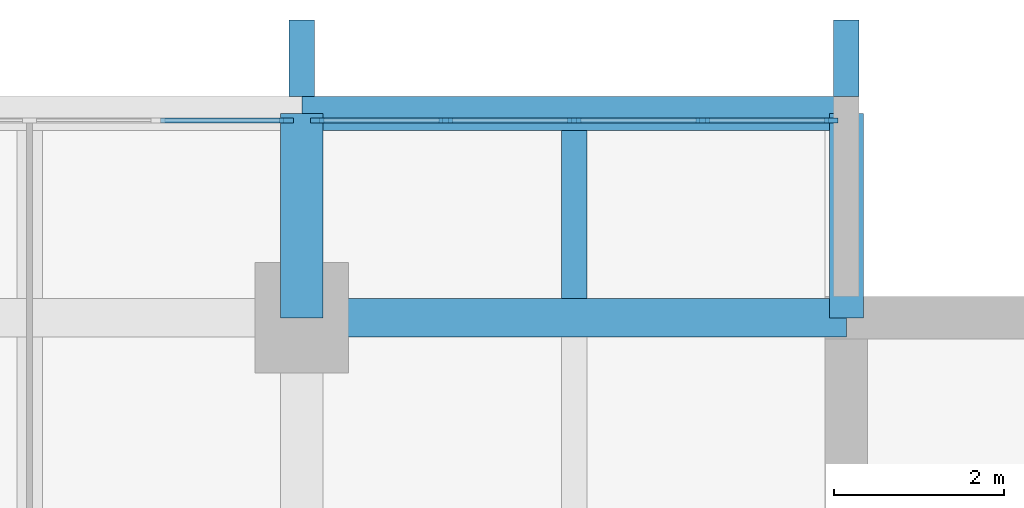
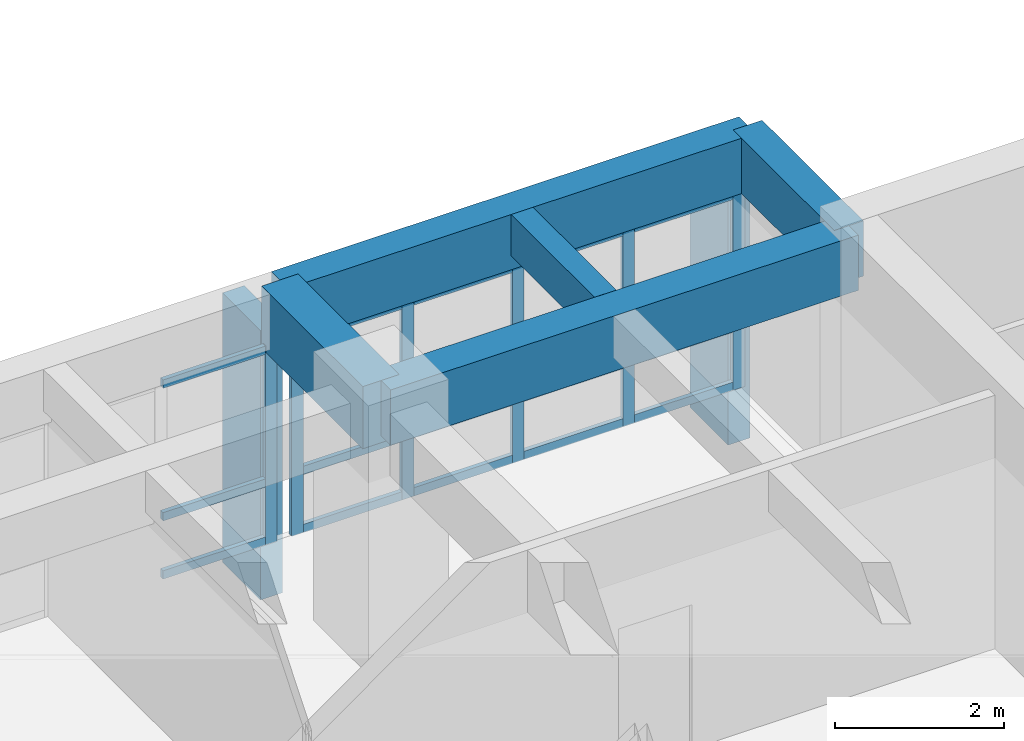
# One storey, part 6 of 19: 23 members, 5 beams, 2 elements without a shape of their own.
"""IFC4 building model written with IfcOpenShell, lengths in metres."""

from ifc_helpers import new_model, si_unit, direction, frame, origin, origin_2d, place, context, subcontext, project, spatial, rectangle, extrude, material, layer, layer_set, material_profile, profile_set, type_object, element, aggregate, save


model = new_model("IFC4")

# Units and contexts
model_context = context("Model", 3, precision=1e-05, world=origin(), true_north=direction((0.0, 1.0)))
body_context = subcontext(model_context, "Body", "Model", "MODEL_VIEW")
ifc_project = project(units=[si_unit("LENGTHUNIT", "METRE"), si_unit("AREAUNIT", "SQUARE_METRE"), si_unit("VOLUMEUNIT", "CUBIC_METRE"), si_unit("PLANEANGLEUNIT", "RADIAN"), si_unit("MASSUNIT", "GRAM", prefix="KILO")], contexts=[model_context])

# Site, building, storey
site_placement = place(None, origin())
site = spatial("IfcSite", under=ifc_project, at=site_placement, CompositionType="ELEMENT")
building_placement = place(site_placement, origin())
building = spatial("IfcBuilding", under=site, at=building_placement, Name="Fogon Plaza Fire Station and Headquarters Tower", CompositionType="ELEMENT")
storey_placement = place(building_placement, frame((0.0, 0.0, 17.10009765625)))
storey = spatial("IfcBuildingStorey", under=building, at=storey_placement, Name="L04", CompositionType="ELEMENT", Elevation=17.10009765625)

# Beams
ifc_material_1 = material(Name="Concrete C40", Category="concrete")
ifc_material_profile_1 = material_profile(ifc_material_1, rectangle(XDim=0.39990234375, YDim=0.800048828125, at=origin_2d()), Name="RC 400x800")
ifc_profile_set_1 = profile_set([ifc_material_profile_1], Name="Concrete C40")
beam_type_1 = type_object("IfcBeamType", Name="BEAM RC 400x800", PredefinedType="BEAM", material=ifc_profile_set_1)
beam_1_placement = place(storey_placement, frame((57.60009765625, 55.199951171875, 3.27978515625), z_axis=(1.0, 0.0, 0.0), x_axis=(0.0, 1.0, 0.0)))
element("IfcBeam", 1, at=beam_1_placement, inside=storey, type_object=beam_type_1, Name="beam-L04-050", PredefinedType="BEAM", context=body_context, shape_type="SweptSolid", body=[
    extrude(rectangle(XDim=0.39990234375, YDim=0.800048828125, at=origin_2d()), origin(), (0.0, 0.0, 1.0), 6.39990234375),
])
ifc_material_2 = material(Name="Concrete C40", Category="concrete")
ifc_material_profile_2 = material_profile(ifc_material_2, rectangle(XDim=0.39990234375, YDim=0.800048828125, at=origin_2d()), Name="RC 400x800")
ifc_profile_set_2 = profile_set([ifc_material_profile_2], Name="Concrete C40")
beam_type_2 = type_object("IfcBeamType", Name="BEAM RC 400x800 SPAN 0.0 TO 3.0 M", PredefinedType="BEAM", material=ifc_profile_set_2)
beam_2_placement = place(storey_placement, frame((64.0, 52.800048828125, 3.27978515625), z_axis=(0.0, 1.0, 0.0), x_axis=(-1.0, 0.0, 0.0)))
element("IfcBeam", 2, at=beam_2_placement, inside=storey, type_object=beam_type_2, Name="beam-L04-054", PredefinedType="BEAM", context=body_context, shape_type="SweptSolid", body=[
    extrude(rectangle(XDim=0.39990234375, YDim=0.800048828125, at=origin_2d()), origin(), (0.0, 0.0, 1.0), 2.39990234375),
])
ifc_material_3 = material(Name="Concrete C40", Category="concrete")
ifc_material_profile_3 = material_profile(ifc_material_3, rectangle(XDim=0.449951171875, YDim=0.800048828125, at=origin_2d()), Name="RC 450x800")
ifc_profile_set_3 = profile_set([ifc_material_profile_3], Name="Concrete C40")
beam_type_3 = type_object("IfcBeamType", Name="BEAM RC 450x800", PredefinedType="BEAM", material=ifc_profile_set_3)
beam_3_placement = place(storey_placement, frame((57.60009765625, 52.800048828125, 3.27978515625), z_axis=(1.0, 0.0, 0.0), x_axis=(0.0, 1.0, 0.0)))
element("IfcBeam", 3, at=beam_3_placement, inside=storey, type_object=beam_type_3, Name="beam-L04-038", PredefinedType="BEAM", context=body_context, shape_type="SweptSolid", body=[
    extrude(rectangle(XDim=0.449951171875, YDim=0.800048828125, at=origin_2d()), origin(), (0.0, 0.0, 1.0), 6.39990234375),
])
ifc_material_4 = material(Name="Concrete C40", Category="concrete")
ifc_material_profile_4 = material_profile(ifc_material_4, rectangle(XDim=0.5, YDim=0.89990234375, at=origin_2d()), Name="RC 500x900")
ifc_profile_set_4 = profile_set([ifc_material_profile_4], Name="Concrete C40")
beam_type_4 = type_object("IfcBeamType", Name="BEAM RC 500x900 SPAN 0.0 TO 3.0 M", PredefinedType="BEAM", material=ifc_profile_set_4)
beam_4_placement = place(storey_placement, frame((57.60009765625, 52.800048828125, 3.22998046875), z_axis=(0.0, 1.0, 0.0), x_axis=(-1.0, 0.0, 0.0)))
element("IfcBeam", 4, at=beam_4_placement, inside=storey, type_object=beam_type_4, Name="beam-L04-020", PredefinedType="BEAM", context=body_context, shape_type="SweptSolid", body=[
    extrude(rectangle(XDim=0.5, YDim=0.89990234375, at=origin_2d()), origin(), (0.0, 0.0, 1.0), 2.39990234375),
])

# Curtain wall, member
ifc_material_5 = material(Name="Aluminium and glass", Category="aluminium")
ifc_layer = layer(ifc_material_5, 0.14990234375)
ifc_layer_set = layer_set([ifc_layer], Name="Aluminium and glass")
curtain_wall_type = type_object("IfcCurtainWallType", Name="Unitised Curtain Wall Run 6100x2880", PredefinedType="NOTDEFINED", material=ifc_layer_set)
curtain_wall_1_placement = place(storey_placement, origin())
curtain_wall_1 = element("IfcCurtainWall", 5, at=curtain_wall_1_placement, inside=storey, type_object=curtain_wall_type, Name="CW-6100x2880 N5 L04", PredefinedType="NOTDEFINED")
ifc_material_6 = material(Name="Aluminium", Category="aluminium")
ifc_material_profile_5 = material_profile(ifc_material_6, rectangle(XDim=0.06005859375, YDim=0.159912109375, at=origin_2d()), Name="Curtain Wall Mullion 60x160")
ifc_profile_set_5 = profile_set([ifc_material_profile_5], Name="Aluminium")
member_type_1 = type_object("IfcMemberType", Name="Curtain Wall Mullion 60x160", PredefinedType="MULLION", material=ifc_profile_set_5)
member_1_placement = place(storey_placement, frame((57.419921875, 55.1201171875, 0.0), z_axis=(0.0, 0.0, 1.0), x_axis=(0.0, 1.0, 0.0)))
member_1 = element("IfcMember", 6, at=member_1_placement, type_object=member_type_1, Name="CW-6100x2880 mullion 5", PredefinedType="MULLION", context=body_context, shape_type="SweptSolid", body=[
    extrude(rectangle(XDim=0.06005859375, YDim=0.159912109375, at=origin_2d()), origin(), (0.0, 0.0, 1.0), 2.8798828125),
])

# Curtain wall, members
curtain_wall_2_placement = place(storey_placement, origin())
curtain_wall_2 = element("IfcCurtainWall", 7, at=curtain_wall_2_placement, inside=storey, type_object=curtain_wall_type, Name="CW-6100x2880 N6 L04", PredefinedType="NOTDEFINED")
member_2_placement = place(storey_placement, frame((57.780029296875, 55.1201171875, 0.0), z_axis=(0.0, 0.0, 1.0), x_axis=(0.0, 1.0, 0.0)))
member_2 = element("IfcMember", 8, at=member_2_placement, type_object=member_type_1, Name="CW-6100x2880 mullion 1", PredefinedType="MULLION", context=body_context, shape_type="SweptSolid", body=[
    extrude(rectangle(XDim=0.06005859375, YDim=0.159912109375, at=origin_2d()), origin(), (0.0, 0.0, 1.0), 2.8798828125),
])
member_3_placement = place(storey_placement, frame((59.2900390625, 55.1201171875, 0.0), z_axis=(0.0, 0.0, 1.0), x_axis=(0.0, 1.0, 0.0)))
member_3 = element("IfcMember", 9, at=member_3_placement, type_object=member_type_1, Name="CW-6100x2880 mullion 2", PredefinedType="MULLION", context=body_context, shape_type="SweptSolid", body=[
    extrude(rectangle(XDim=0.06005859375, YDim=0.159912109375, at=origin_2d()), origin(), (0.0, 0.0, 1.0), 2.8798828125),
])
member_4_placement = place(storey_placement, frame((60.800048828125, 55.1201171875, 0.0), z_axis=(0.0, 0.0, 1.0), x_axis=(0.0, 1.0, 0.0)))
member_4 = element("IfcMember", 10, at=member_4_placement, type_object=member_type_1, Name="CW-6100x2880 mullion 3", PredefinedType="MULLION", context=body_context, shape_type="SweptSolid", body=[
    extrude(rectangle(XDim=0.06005859375, YDim=0.159912109375, at=origin_2d()), origin(), (0.0, 0.0, 1.0), 2.8798828125),
])
member_5_placement = place(storey_placement, frame((62.31005859375, 55.1201171875, 0.0), z_axis=(0.0, 0.0, 1.0), x_axis=(0.0, 1.0, 0.0)))
member_5 = element("IfcMember", 11, at=member_5_placement, type_object=member_type_1, Name="CW-6100x2880 mullion 4", PredefinedType="MULLION", context=body_context, shape_type="SweptSolid", body=[
    extrude(rectangle(XDim=0.06005859375, YDim=0.159912109375, at=origin_2d()), origin(), (0.0, 0.0, 1.0), 2.8798828125),
])
member_6_placement = place(storey_placement, frame((63.820068359375, 55.1201171875, 0.0), z_axis=(0.0, 0.0, 1.0), x_axis=(0.0, 1.0, 0.0)))
member_6 = element("IfcMember", 12, at=member_6_placement, type_object=member_type_1, Name="CW-6100x2880 mullion 5", PredefinedType="MULLION", context=body_context, shape_type="SweptSolid", body=[
    extrude(rectangle(XDim=0.06005859375, YDim=0.159912109375, at=origin_2d()), origin(), (0.0, 0.0, 1.0), 2.8798828125),
])

# Member
ifc_material_7 = material(Name="Aluminium", Category="aluminium")
ifc_material_profile_6 = material_profile(ifc_material_7, rectangle(XDim=0.06005859375, YDim=0.1201171875, at=origin_2d()), Name="Curtain Wall Transom 60x120")
ifc_profile_set_6 = profile_set([ifc_material_profile_6], Name="Aluminium")
member_type_2 = type_object("IfcMemberType", Name="Curtain Wall Transom 60x120", PredefinedType="USERDEFINED", material=ifc_profile_set_6)
member_7_placement = place(storey_placement, frame((55.93994140625, 55.1201171875, 0.059814453125), z_axis=(1.0, 0.0, 0.0), x_axis=(0.0, 1.0, 0.0)))
member_7 = element("IfcMember", 13, at=member_7_placement, type_object=member_type_2, Name="CW-6100x2880 transom 4.1", ObjectType="TRANSOM", PredefinedType="USERDEFINED", context=body_context, shape_type="SweptSolid", body=[
    extrude(rectangle(XDim=0.06005859375, YDim=0.1201171875, at=origin_2d()), origin(), (0.0, 0.0, 1.0), 1.449951171875),
])

member_8_placement = place(storey_placement, frame((55.93994140625, 55.1201171875, 0.89990234375), z_axis=(1.0, 0.0, 0.0), x_axis=(0.0, 1.0, 0.0)))
member_8 = element("IfcMember", 14, at=member_8_placement, type_object=member_type_2, Name="CW-6100x2880 transom 4.2", ObjectType="TRANSOM", PredefinedType="USERDEFINED", context=body_context, shape_type="SweptSolid", body=[
    extrude(rectangle(XDim=0.06005859375, YDim=0.1201171875, at=origin_2d()), origin(), (0.0, 0.0, 1.0), 1.449951171875),
])

member_9_placement = place(storey_placement, frame((55.93994140625, 55.1201171875, 2.81982421875), z_axis=(1.0, 0.0, 0.0), x_axis=(0.0, 1.0, 0.0)))
member_9 = element("IfcMember", 15, at=member_9_placement, type_object=member_type_2, Name="CW-6100x2880 transom 4.3", ObjectType="TRANSOM", PredefinedType="USERDEFINED", context=body_context, shape_type="SweptSolid", body=[
    extrude(rectangle(XDim=0.06005859375, YDim=0.1201171875, at=origin_2d()), origin(), (0.0, 0.0, 1.0), 1.449951171875),
])

aggregate(curtain_wall_1, [member_1, member_7, member_8, member_9])

member_10_placement = place(storey_placement, frame((57.81005859375, 55.1201171875, 0.059814453125), z_axis=(1.0, 0.0, 0.0), x_axis=(0.0, 1.0, 0.0)))
member_10 = element("IfcMember", 16, at=member_10_placement, type_object=member_type_2, Name="CW-6100x2880 transom 1.1", ObjectType="TRANSOM", PredefinedType="USERDEFINED", context=body_context, shape_type="SweptSolid", body=[
    extrude(rectangle(XDim=0.06005859375, YDim=0.1201171875, at=origin_2d()), origin(), (0.0, 0.0, 1.0), 1.449951171875),
])

member_11_placement = place(storey_placement, frame((57.81005859375, 55.1201171875, 0.89990234375), z_axis=(1.0, 0.0, 0.0), x_axis=(0.0, 1.0, 0.0)))
member_11 = element("IfcMember", 17, at=member_11_placement, type_object=member_type_2, Name="CW-6100x2880 transom 1.2", ObjectType="TRANSOM", PredefinedType="USERDEFINED", context=body_context, shape_type="SweptSolid", body=[
    extrude(rectangle(XDim=0.06005859375, YDim=0.1201171875, at=origin_2d()), origin(), (0.0, 0.0, 1.0), 1.449951171875),
])

member_12_placement = place(storey_placement, frame((57.81005859375, 55.1201171875, 2.81982421875), z_axis=(1.0, 0.0, 0.0), x_axis=(0.0, 1.0, 0.0)))
member_12 = element("IfcMember", 18, at=member_12_placement, type_object=member_type_2, Name="CW-6100x2880 transom 1.3", ObjectType="TRANSOM", PredefinedType="USERDEFINED", context=body_context, shape_type="SweptSolid", body=[
    extrude(rectangle(XDim=0.06005859375, YDim=0.1201171875, at=origin_2d()), origin(), (0.0, 0.0, 1.0), 1.449951171875),
])

member_13_placement = place(storey_placement, frame((59.320068359375, 55.1201171875, 0.059814453125), z_axis=(1.0, 0.0, 0.0), x_axis=(0.0, 1.0, 0.0)))
member_13 = element("IfcMember", 19, at=member_13_placement, type_object=member_type_2, Name="CW-6100x2880 transom 2.1", ObjectType="TRANSOM", PredefinedType="USERDEFINED", context=body_context, shape_type="SweptSolid", body=[
    extrude(rectangle(XDim=0.06005859375, YDim=0.1201171875, at=origin_2d()), origin(), (0.0, 0.0, 1.0), 1.449951171875),
])

member_14_placement = place(storey_placement, frame((59.320068359375, 55.1201171875, 0.89990234375), z_axis=(1.0, 0.0, 0.0), x_axis=(0.0, 1.0, 0.0)))
member_14 = element("IfcMember", 20, at=member_14_placement, type_object=member_type_2, Name="CW-6100x2880 transom 2.2", ObjectType="TRANSOM", PredefinedType="USERDEFINED", context=body_context, shape_type="SweptSolid", body=[
    extrude(rectangle(XDim=0.06005859375, YDim=0.1201171875, at=origin_2d()), origin(), (0.0, 0.0, 1.0), 1.449951171875),
])

member_15_placement = place(storey_placement, frame((59.320068359375, 55.1201171875, 2.81982421875), z_axis=(1.0, 0.0, 0.0), x_axis=(0.0, 1.0, 0.0)))
member_15 = element("IfcMember", 21, at=member_15_placement, type_object=member_type_2, Name="CW-6100x2880 transom 2.3", ObjectType="TRANSOM", PredefinedType="USERDEFINED", context=body_context, shape_type="SweptSolid", body=[
    extrude(rectangle(XDim=0.06005859375, YDim=0.1201171875, at=origin_2d()), origin(), (0.0, 0.0, 1.0), 1.449951171875),
])

member_16_placement = place(storey_placement, frame((60.830078125, 55.1201171875, 0.059814453125), z_axis=(1.0, 0.0, 0.0), x_axis=(0.0, 1.0, 0.0)))
member_16 = element("IfcMember", 22, at=member_16_placement, type_object=member_type_2, Name="CW-6100x2880 transom 3.1", ObjectType="TRANSOM", PredefinedType="USERDEFINED", context=body_context, shape_type="SweptSolid", body=[
    extrude(rectangle(XDim=0.06005859375, YDim=0.1201171875, at=origin_2d()), origin(), (0.0, 0.0, 1.0), 1.449951171875),
])

member_17_placement = place(storey_placement, frame((60.830078125, 55.1201171875, 0.89990234375), z_axis=(1.0, 0.0, 0.0), x_axis=(0.0, 1.0, 0.0)))
member_17 = element("IfcMember", 23, at=member_17_placement, type_object=member_type_2, Name="CW-6100x2880 transom 3.2", ObjectType="TRANSOM", PredefinedType="USERDEFINED", context=body_context, shape_type="SweptSolid", body=[
    extrude(rectangle(XDim=0.06005859375, YDim=0.1201171875, at=origin_2d()), origin(), (0.0, 0.0, 1.0), 1.449951171875),
])

member_18_placement = place(storey_placement, frame((60.830078125, 55.1201171875, 2.81982421875), z_axis=(1.0, 0.0, 0.0), x_axis=(0.0, 1.0, 0.0)))
member_18 = element("IfcMember", 24, at=member_18_placement, type_object=member_type_2, Name="CW-6100x2880 transom 3.3", ObjectType="TRANSOM", PredefinedType="USERDEFINED", context=body_context, shape_type="SweptSolid", body=[
    extrude(rectangle(XDim=0.06005859375, YDim=0.1201171875, at=origin_2d()), origin(), (0.0, 0.0, 1.0), 1.449951171875),
])

member_19_placement = place(storey_placement, frame((62.340087890625, 55.1201171875, 0.059814453125), z_axis=(1.0, 0.0, 0.0), x_axis=(0.0, 1.0, 0.0)))
member_19 = element("IfcMember", 25, at=member_19_placement, type_object=member_type_2, Name="CW-6100x2880 transom 4.1", ObjectType="TRANSOM", PredefinedType="USERDEFINED", context=body_context, shape_type="SweptSolid", body=[
    extrude(rectangle(XDim=0.06005859375, YDim=0.1201171875, at=origin_2d()), origin(), (0.0, 0.0, 1.0), 1.449951171875),
])

member_20_placement = place(storey_placement, frame((62.340087890625, 55.1201171875, 0.89990234375), z_axis=(1.0, 0.0, 0.0), x_axis=(0.0, 1.0, 0.0)))
member_20 = element("IfcMember", 26, at=member_20_placement, type_object=member_type_2, Name="CW-6100x2880 transom 4.2", ObjectType="TRANSOM", PredefinedType="USERDEFINED", context=body_context, shape_type="SweptSolid", body=[
    extrude(rectangle(XDim=0.06005859375, YDim=0.1201171875, at=origin_2d()), origin(), (0.0, 0.0, 1.0), 1.449951171875),
])

member_21_placement = place(storey_placement, frame((62.340087890625, 55.1201171875, 2.81982421875), z_axis=(1.0, 0.0, 0.0), x_axis=(0.0, 1.0, 0.0)))
member_21 = element("IfcMember", 27, at=member_21_placement, type_object=member_type_2, Name="CW-6100x2880 transom 4.3", ObjectType="TRANSOM", PredefinedType="USERDEFINED", context=body_context, shape_type="SweptSolid", body=[
    extrude(rectangle(XDim=0.06005859375, YDim=0.1201171875, at=origin_2d()), origin(), (0.0, 0.0, 1.0), 1.449951171875),
])

aggregate(curtain_wall_2, [member_2, member_3, member_4, member_5, member_6, member_10, member_11, member_12, member_13, member_14, member_15, member_16, member_17, member_18, member_19, member_20, member_21])

# Beam
ifc_material_8 = material(Name="Concrete C40", Category="concrete")
ifc_material_profile_7 = material_profile(ifc_material_8, rectangle(XDim=0.300048828125, YDim=0.60009765625, at=origin_2d()), Name="RC 300x600")
ifc_profile_set_7 = profile_set([ifc_material_profile_7], Name="Concrete C40")
beam_type_5 = type_object("IfcBeamType", Name="JOIST RC 300x600 SPAN 0.0 TO 3.0 M", PredefinedType="JOIST", material=ifc_profile_set_7)
beam_5_placement = place(storey_placement, frame((60.800048828125, 53.02490234375, 3.3798828125), z_axis=(0.0, 1.0, 0.0), x_axis=(-1.0, 0.0, 0.0)))
element("IfcBeam", 28, at=beam_5_placement, inside=storey, type_object=beam_type_5, Name="beam-L04-078", PredefinedType="JOIST", context=body_context, shape_type="SweptSolid", body=[
    extrude(rectangle(XDim=0.300048828125, YDim=0.60009765625, at=origin_2d()), origin(), (0.0, 0.0, 1.0), 1.97509765625),
])

# Members
ifc_material_9 = material(Name="Concrete C40 precast", Category="concrete")
ifc_material_profile_8 = material_profile(ifc_material_9, rectangle(XDim=0.300048828125, YDim=0.89990234375, at=origin_2d()), Name="Precast Concrete Post 300x900")
ifc_profile_set_8 = profile_set([ifc_material_profile_8], Name="Concrete C40 precast")
member_type_3 = type_object("IfcMemberType", Name="Precast Concrete Post 300x900", PredefinedType="POST", material=ifc_profile_set_8)
for number, where, z_axis, x_axis, name in (
    (29, (57.60009765625, 55.85009765625, -1.02001953125), (0.0, 0.0, 1.0), (1.0, 0.0, 0.0), "Precast Post N L04"),
    (30, (64.0, 55.85009765625, -1.02001953125), (0.0, 0.0, 1.0), (1.0, 0.0, 0.0), "Precast Post N L04"),
):
    element("IfcMember", number, at=place(storey_placement, frame(where, z_axis=z_axis, x_axis=x_axis)), inside=storey, type_object=member_type_3, Name=name, PredefinedType="POST", context=body_context, shape_type="SweptSolid", body=[
        extrude(rectangle(XDim=0.300048828125, YDim=0.89990234375, at=origin_2d()), origin(), (0.0, 0.0, 1.0), 3.89990234375),
    ])

save(model, "model.ifc")
